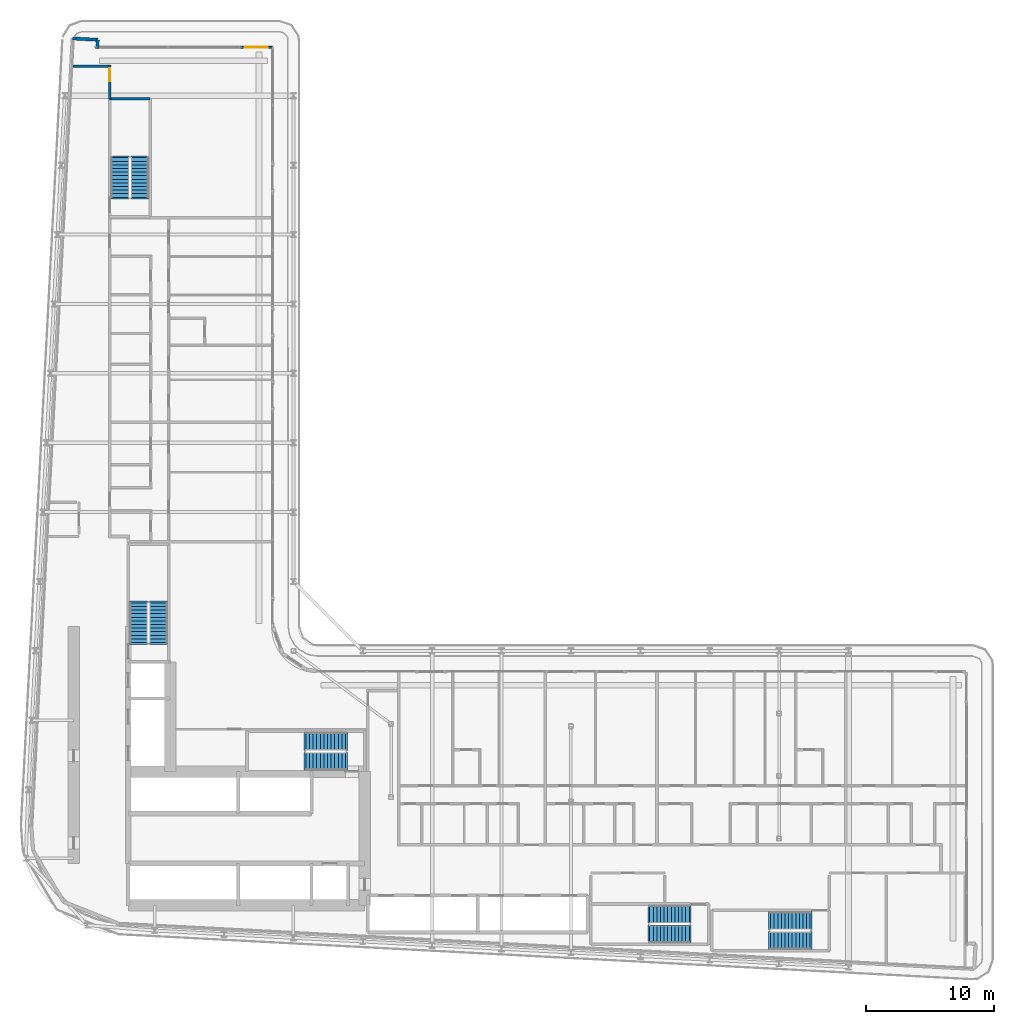
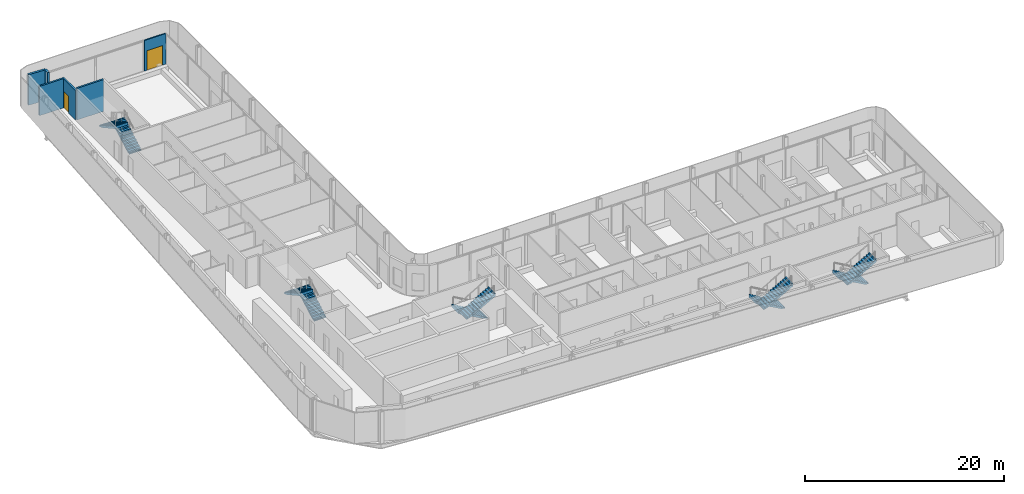
# One storey, part 18 of 25: 10 stair flights, 6 walls, 2 doors, 2 openings, 5 elements without a shape of their own.
"""IFC4 building model written with IfcOpenShell, lengths in metres."""

from ifc_helpers import new_model, si_unit, direction, frame, frame_2d, origin, place, context, subcontext, project, spatial, polyline, rectangle, outline, extrude, source, transform, mapped, material, layer, layer_set, type_object, element, fill, aggregate, save


model = new_model("IFC4")

# Units and contexts
model_context = context("Model", 3, precision=1e-05, world=origin(), true_north=direction((0.0, 1.0)))
body_context = subcontext(model_context, "Body", "Model", "MODEL_VIEW")
ifc_project = project(units=[si_unit("LENGTHUNIT", "METRE"), si_unit("AREAUNIT", "SQUARE_METRE"), si_unit("VOLUMEUNIT", "CUBIC_METRE"), si_unit("PLANEANGLEUNIT", "RADIAN"), si_unit("MASSUNIT", "GRAM", prefix="KILO")], contexts=[model_context])

# Site, building, storey
site_placement = place(None, origin())
site = spatial("IfcSite", under=ifc_project, at=site_placement, CompositionType="ELEMENT")
building_placement = place(site_placement, origin())
building = spatial("IfcBuilding", under=site, at=building_placement, Name="Kheshtan School and Residences Tower", CompositionType="ELEMENT")
storey_placement = place(building_placement, frame((0.0, 0.0, 113.60009765625)))
storey = spatial("IfcBuildingStorey", under=building, at=storey_placement, Name="L26", CompositionType="ELEMENT", Elevation=113.60009765625)

# Wall
ifc_material_1 = material(Name="Gypsum board on steel studs with fire boards", Category="steel")
ifc_layer_1 = layer(ifc_material_1, 0.199951171875)
ifc_layer_set_1 = layer_set([ifc_layer_1], Name="Corridor wall 200")
wall_type_1 = type_object("IfcWallType", Name="Corridor wall 200", PredefinedType="PARTITIONING", material=ifc_layer_set_1)
wall_1_placement = place(storey_placement, frame((30.432373046875, 91.10009765625, 0.0), z_axis=(0.0, 0.0, 1.0), x_axis=(1.0, 0.0, 0.0)))
element("IfcWall", 1, at=wall_1_placement, inside=storey, type_object=wall_type_1, Name="Partition L26-001", PredefinedType="PARTITIONING", context=body_context, shape_type="SweptSolid", body=[
    extrude(rectangle(XDim=2.767578125, YDim=0.199951171875, at=frame_2d((1.3837890625, 0.0))), origin(), (0.0, 0.0, 1.0), 3.599853515625),
])

# Wall, opening, door
wall_2_placement = place(storey_placement, frame((33.300048828125, 88.56005859375, 0.0), z_axis=(0.0, 0.0, 1.0), x_axis=(0.0, 1.0, 0.0)))
wall_2 = element("IfcWall", 2, at=wall_2_placement, inside=storey, type_object=wall_type_1, Name="Partition L26-004", PredefinedType="PARTITIONING", context=body_context, shape_type="SweptSolid", body=[
    extrude(rectangle(XDim=2.639892578125, YDim=0.199951171875, at=frame_2d((1.31982421875, 0.0))), origin(), (0.0, 0.0, 1.0), 3.599853515625),
])
opening_1_placement = place(wall_2_placement, frame((1.389892578125, 0.0, 0.0)))
opening_1 = element("IfcOpeningElement", 3, at=opening_1_placement, cuts=wall_2, Name="Opening D25-052", PredefinedType="OPENING", context=body_context, shape_type="SweptSolid", body=[
    extrude(rectangle(XDim=1.0, YDim=2.10009765625, at=frame_2d((0.5, 1.050048828125))), frame((0.0, 0.10986328125, 0.0), z_axis=(0.0, -1.0, 0.0), x_axis=(1.0, 0.0, 0.0)), (0.0, 0.0, 1.0), 0.219970703125),
])
ifc_material_2 = material(Name="Steel-framed fire-resisting door leaf", Category="steel")
door_type_1 = type_object("IfcDoorType", Name="Fire door FD60 1000 x 2100", OperationType="SINGLE_SWING_LEFT", PredefinedType="DOOR", material=ifc_material_2)
shared_shape_1 = source(origin(), body_context, "Body", "SweptSolid", [
    extrude(rectangle(XDim=1.0, YDim=2.10009765625, at=frame_2d((0.5, 1.050048828125))), frame((0.0, 0.02490234375, 0.0), z_axis=(0.0, -1.0, 0.0), x_axis=(1.0, 0.0, 0.0)), (0.0, 0.0, 1.0), 0.050048828125),
])
door_1_placement = place(opening_1_placement, origin())
door_1 = element("IfcDoor", 4, at=door_1_placement, inside=storey, type_object=door_type_1, Name="Door D25-052", OperationType="SINGLE_SWING_RIGHT", OverallHeight=2.10009765625, OverallWidth=1.0, PredefinedType="DOOR", context=body_context, shape_type="MappedRepresentation", body=[
    mapped(shared_shape_1, transform((0.0, 0.0, 0.0), x_axis=(1.0, 0.0, 0.0), y_axis=(0.0, 1.0, 0.0), z_axis=(0.0, 0.0, 1.0), scale=1.0)),
])
fill(opening_1, door_1)

# Walls
ifc_material_3 = material(Name="Concrete C40/50 with ceramic cladding and mineral wool insulation", Category="concrete")
ifc_layer_2 = layer(ifc_material_3, 0.25)
ifc_layer_set_2 = layer_set([ifc_layer_2], Name="External wall 250 ceramic clad")
wall_type_2 = type_object("IfcWallType", Name="External wall 250 ceramic clad", PredefinedType="SOLIDWALL", material=ifc_layer_set_2)
wall_3_placement = place(storey_placement, frame((30.4208984375, 93.263916015625, 0.0), z_axis=(0.0, 0.0, 1.0), x_axis=(0.998577785791, -0.053314216913, 0.0)))
element("IfcWall", 5, at=wall_3_placement, inside=storey, type_object=wall_type_2, Name="External wall L26 1", PredefinedType="SOLIDWALL", context=body_context, shape_type="SweptSolid", body=[
    extrude(rectangle(XDim=1.95068359375, YDim=0.25, at=frame_2d((0.975341796875, 0.0))), origin(), (0.0, 0.0, 1.0), 3.75),
])
wall_4_placement = place(storey_placement, frame((32.368896484375, 93.159912109375, 0.0), z_axis=(0.0, 0.0, 1.0), x_axis=(-0.053729014033, -0.998555553312, 0.0)))
element("IfcWall", 6, at=wall_4_placement, inside=storey, type_object=wall_type_2, Name="External wall L26 2", PredefinedType="SOLIDWALL", context=body_context, shape_type="SweptSolid", body=[
    extrude(rectangle(XDim=0.66796875, YDim=0.25, at=frame_2d((0.333984375, 0.0))), origin(), (0.0, 0.0, 1.0), 3.75),
])

# Wall, opening, door
ifc_material_4 = material(Name="Aluminium frame wall with insulated infill", Category="aluminium")
ifc_layer_3 = layer(ifc_material_4, 0.14990234375)
ifc_layer_set_3 = layer_set([ifc_layer_3], Name="Glazing frame wall 150")
wall_type_3 = type_object("IfcWallType", Name="Glazing frame wall 150", PredefinedType="SOLIDWALL", material=ifc_layer_set_3)
wall_5_placement = place(storey_placement, frame((43.5, 92.574951171875, 0.0), z_axis=(0.0, 0.0, 1.0), x_axis=(1.0, 0.0, 0.0)))
wall_5 = element("IfcWall", 7, at=wall_5_placement, inside=storey, type_object=wall_type_3, Name="Balcony door wall L26 3.1", PredefinedType="SOLIDWALL", context=body_context, shape_type="SweptSolid", body=[
    extrude(rectangle(XDim=2.470947265625, YDim=0.14990234375, at=frame_2d((1.2353515625, 0.0))), origin(), (0.0, 0.0, 1.0), 3.75),
])
opening_2_placement = place(wall_5_placement, frame((0.300048828125, 0.0, 0.0)))
opening_2 = element("IfcOpeningElement", 8, at=opening_2_placement, cuts=wall_5, Name="Opening BD", PredefinedType="OPENING", context=body_context, shape_type="SweptSolid", body=[
    extrude(rectangle(XDim=1.800048828125, YDim=2.39990234375, at=frame_2d((0.89990234375, 1.199951171875))), frame((0.0, 0.0849609375, 0.0), z_axis=(0.0, -1.0, 0.0), x_axis=(1.0, 0.0, 0.0)), (0.0, 0.0, 1.0), 0.169921875),
])
ifc_material_5 = material(Name="Clear low-e glass in thermally broken aluminium frame", Category="aluminium")
door_type_2 = type_object("IfcDoorType", Name="Balcony sliding door", OperationType="SLIDING_TO_LEFT", PredefinedType="DOOR", material=ifc_material_5)
shared_shape_2 = source(origin(), body_context, "Body", "SweptSolid", [
    extrude(rectangle(XDim=1.800048828125, YDim=2.39990234375, at=frame_2d((0.89990234375, 1.199951171875))), frame((0.0, 0.02490234375, 0.0), z_axis=(0.0, -1.0, 0.0), x_axis=(1.0, 0.0, 0.0)), (0.0, 0.0, 1.0), 0.050048828125),
])
door_2_placement = place(opening_2_placement, origin())
door_2 = element("IfcDoor", 9, at=door_2_placement, inside=storey, type_object=door_type_2, Name="Balcony door L26 3.1", OperationType="SLIDING_TO_LEFT", OverallHeight=2.39990234375, OverallWidth=1.800048828125, PredefinedType="DOOR", context=body_context, shape_type="MappedRepresentation", body=[
    mapped(shared_shape_2, transform((0.0, 0.0, 0.0), x_axis=(1.0, 0.0, 0.0), y_axis=(0.0, 1.0, 0.0), z_axis=(0.0, 0.0, 1.0), scale=1.0)),
])
fill(opening_2, door_2)

# Wall
ifc_material_6 = material(Name="Concrete C40/50", Category="concrete")
ifc_layer_4 = layer(ifc_material_6, 0.199951171875)
ifc_layer_set_4 = layer_set([ifc_layer_4], Name="Stair enclosure wall 200 Concrete C40/50")
wall_type_4 = type_object("IfcWallType", Name="Stair enclosure wall 200 Concrete C40/50", PredefinedType="SHEAR", material=ifc_layer_set_4)
wall_6_placement = place(storey_placement, frame((33.300048828125, 88.56005859375, 0.0), z_axis=(0.0, 0.0, 1.0), x_axis=(1.0, 0.0, 0.0)))
element("IfcWall", 10, at=wall_6_placement, inside=storey, type_object=wall_type_4, Name="Stair enclosure wall ST3", PredefinedType="SHEAR", context=body_context, shape_type="SweptSolid", body=[
    extrude(rectangle(XDim=3.14990234375, YDim=0.199951171875, at=frame_2d((1.574951171875, 0.0))), origin(), (0.0, 0.0, 1.0), 3.89990234375),
])

# Stair, stair flights
stair_type = type_object("IfcStairType", Name="Exit stair, half-turn", PredefinedType="HALF_TURN_STAIR", material=ifc_material_6)
stair_1_placement = place(storey_placement, origin())
stair_1 = element("IfcStair", 11, at=stair_1_placement, inside=storey, type_object=stair_type, Name="L26 Protected Exit Stair ST1", PredefinedType="HALF_TURN_STAIR")
ifc_layer_5 = layer(ifc_material_6, 0.14990234375)
ifc_layer_set_5 = layer_set([ifc_layer_5], Name="Stair flight 1400 Concrete C40/50")
stair_flight_type = type_object("IfcStairFlightType", Name="Stair flight 1400 Concrete C40/50", PredefinedType="STRAIGHT", material=ifc_layer_set_5)
stair_flight_1_placement = place(storey_placement, frame((51.64990234375, 38.550048828125, 0.0), z_axis=(0.0, 0.0, 1.0), x_axis=(-1.0, 0.0, 0.0)))
stair_flight_1 = element("IfcStairFlight", 12, at=stair_flight_1_placement, type_object=stair_flight_type, Name="ST1 flight 1", NumberOfRisers=12, NumberOfTreads=11, PredefinedType="STRAIGHT", RiserHeight=0.1625, TreadLength=0.28, context=body_context, shape_type="SweptSolid", body=[
    extrude(outline(polyline([(-0.14990234375, -0.10009765625), (-0.14990234375, 0.0), (0.0, 0.0), (0.0, 0.16259765625), (0.280029296875, 0.16259765625), (0.280029296875, 0.324951171875), (0.56005859375, 0.324951171875), (0.56005859375, 0.487548828125), (0.840087890625, 0.487548828125), (0.840087890625, 0.64990234375), (1.1201171875, 0.64990234375), (1.1201171875, 0.8125), (1.39990234375, 0.8125), (1.39990234375, 0.97509765625), (1.679931640625, 0.97509765625), (1.679931640625, 1.137451171875), (1.9599609375, 1.137451171875), (1.9599609375, 1.300048828125), (2.239990234375, 1.300048828125), (2.239990234375, 1.46240234375), (2.52001953125, 1.46240234375), (2.52001953125, 1.625), (2.800048828125, 1.625), (2.800048828125, 1.78759765625), (3.080078125, 1.78759765625), (3.080078125, 1.949951171875), (3.080078125, 1.969970703125), (3.22998046875, 1.969970703125), (3.22998046875, 1.6142578125), (0.298583984375, 0.0), (-0.14990234375, -0.10009765625)])), frame((0.0, 0.699951171875, 0.0), z_axis=(0.0, -1.0, 0.0), x_axis=(1.0, 0.0, 0.0)), (0.0, 0.0, 1.0), 1.39990234375),
])
stair_flight_2_placement = place(storey_placement, frame((48.570068359375, 37.0, 1.949951171875), z_axis=(0.0, 0.0, 1.0), x_axis=(1.0, 0.0, 0.0)))
stair_flight_2 = element("IfcStairFlight", 13, at=stair_flight_2_placement, type_object=stair_flight_type, Name="ST1 flight 2", NumberOfRisers=12, NumberOfTreads=11, PredefinedType="STRAIGHT", RiserHeight=0.1625, TreadLength=0.28, context=body_context, shape_type="SweptSolid", body=[
    extrude(outline(polyline([(-0.14990234375, -0.10009765625), (-0.14990234375, 0.0), (0.0, 0.0), (0.0, 0.16259765625), (0.280029296875, 0.16259765625), (0.280029296875, 0.324951171875), (0.56005859375, 0.324951171875), (0.56005859375, 0.487548828125), (0.840087890625, 0.487548828125), (0.840087890625, 0.64990234375), (1.1201171875, 0.64990234375), (1.1201171875, 0.8125), (1.39990234375, 0.8125), (1.39990234375, 0.97509765625), (1.679931640625, 0.97509765625), (1.679931640625, 1.137451171875), (1.9599609375, 1.137451171875), (1.9599609375, 1.300048828125), (2.239990234375, 1.300048828125), (2.239990234375, 1.46240234375), (2.52001953125, 1.46240234375), (2.52001953125, 1.625), (2.800048828125, 1.625), (2.800048828125, 1.78759765625), (3.080078125, 1.78759765625), (3.080078125, 1.949951171875), (3.080078125, 1.969970703125), (3.22998046875, 1.969970703125), (3.22998046875, 1.6142578125), (0.298583984375, 0.0), (-0.14990234375, -0.10009765625)])), frame((0.0, 0.699951171875, 0.0), z_axis=(0.0, -1.0, 0.0), x_axis=(1.0, 0.0, 0.0)), (0.0, 0.0, 1.0), 1.39990234375),
])
aggregate(stair_1, [stair_flight_1, stair_flight_2])

stair_2_placement = place(storey_placement, origin())
stair_2 = element("IfcStair", 14, at=stair_2_placement, inside=storey, type_object=stair_type, Name="L26 Protected Exit Stair ST2", PredefinedType="HALF_TURN_STAIR")
stair_flight_3_placement = place(storey_placement, frame((37.10009765625, 46.25, 0.0), z_axis=(0.0, 0.0, 1.0), x_axis=(0.0, 1.0, 0.0)))
stair_flight_3 = element("IfcStairFlight", 15, at=stair_flight_3_placement, type_object=stair_flight_type, Name="ST2 flight 1", NumberOfRisers=12, NumberOfTreads=11, PredefinedType="STRAIGHT", RiserHeight=0.1625, TreadLength=0.28, context=body_context, shape_type="SweptSolid", body=[
    extrude(outline(polyline([(-0.14990234375, -0.10009765625), (-0.14990234375, 0.0), (0.0, 0.0), (0.0, 0.16259765625), (0.280029296875, 0.16259765625), (0.280029296875, 0.324951171875), (0.56005859375, 0.324951171875), (0.56005859375, 0.487548828125), (0.840087890625, 0.487548828125), (0.840087890625, 0.64990234375), (1.1201171875, 0.64990234375), (1.1201171875, 0.8125), (1.39990234375, 0.8125), (1.39990234375, 0.97509765625), (1.679931640625, 0.97509765625), (1.679931640625, 1.137451171875), (1.9599609375, 1.137451171875), (1.9599609375, 1.300048828125), (2.239990234375, 1.300048828125), (2.239990234375, 1.46240234375), (2.52001953125, 1.46240234375), (2.52001953125, 1.625), (2.800048828125, 1.625), (2.800048828125, 1.78759765625), (3.080078125, 1.78759765625), (3.080078125, 1.949951171875), (3.080078125, 1.969970703125), (3.22998046875, 1.969970703125), (3.22998046875, 1.6142578125), (0.298583984375, 0.0), (-0.14990234375, -0.10009765625)])), frame((0.0, 0.699951171875, 0.0), z_axis=(0.0, -1.0, 0.0), x_axis=(1.0, 0.0, 0.0)), (0.0, 0.0, 1.0), 1.39990234375),
])
stair_flight_4_placement = place(storey_placement, frame((35.550048828125, 49.330078125, 1.949951171875), z_axis=(0.0, 0.0, 1.0), x_axis=(0.0, -1.0, 0.0)))
stair_flight_4 = element("IfcStairFlight", 16, at=stair_flight_4_placement, type_object=stair_flight_type, Name="ST2 flight 2", NumberOfRisers=12, NumberOfTreads=11, PredefinedType="STRAIGHT", RiserHeight=0.1625, TreadLength=0.28, context=body_context, shape_type="SweptSolid", body=[
    extrude(outline(polyline([(-0.14990234375, -0.10009765625), (-0.14990234375, 0.0), (0.0, 0.0), (0.0, 0.16259765625), (0.280029296875, 0.16259765625), (0.280029296875, 0.324951171875), (0.56005859375, 0.324951171875), (0.56005859375, 0.487548828125), (0.840087890625, 0.487548828125), (0.840087890625, 0.64990234375), (1.1201171875, 0.64990234375), (1.1201171875, 0.8125), (1.39990234375, 0.8125), (1.39990234375, 0.97509765625), (1.679931640625, 0.97509765625), (1.679931640625, 1.137451171875), (1.9599609375, 1.137451171875), (1.9599609375, 1.300048828125), (2.239990234375, 1.300048828125), (2.239990234375, 1.46240234375), (2.52001953125, 1.46240234375), (2.52001953125, 1.625), (2.800048828125, 1.625), (2.800048828125, 1.78759765625), (3.080078125, 1.78759765625), (3.080078125, 1.949951171875), (3.080078125, 1.969970703125), (3.22998046875, 1.969970703125), (3.22998046875, 1.6142578125), (0.298583984375, 0.0), (-0.14990234375, -0.10009765625)])), frame((0.0, 0.699951171875, 0.0), z_axis=(0.0, -1.0, 0.0), x_axis=(1.0, 0.0, 0.0)), (0.0, 0.0, 1.0), 1.39990234375),
])
aggregate(stair_2, [stair_flight_3, stair_flight_4])

stair_3_placement = place(storey_placement, origin())
stair_3 = element("IfcStair", 17, at=stair_3_placement, inside=storey, type_object=stair_type, Name="L26 Protected Exit Stair ST3", PredefinedType="HALF_TURN_STAIR")
stair_flight_5_placement = place(storey_placement, frame((35.64990234375, 80.89990234375, 0.0), z_axis=(0.0, 0.0, 1.0), x_axis=(0.0, 1.0, 0.0)))
stair_flight_5 = element("IfcStairFlight", 18, at=stair_flight_5_placement, type_object=stair_flight_type, Name="ST3 flight 1", NumberOfRisers=12, NumberOfTreads=11, PredefinedType="STRAIGHT", RiserHeight=0.1625, TreadLength=0.28, context=body_context, shape_type="SweptSolid", body=[
    extrude(outline(polyline([(-0.14990234375, -0.10009765625), (-0.14990234375, 0.0), (0.0, 0.0), (0.0, 0.16259765625), (0.280029296875, 0.16259765625), (0.280029296875, 0.324951171875), (0.56005859375, 0.324951171875), (0.56005859375, 0.487548828125), (0.840087890625, 0.487548828125), (0.840087890625, 0.64990234375), (1.1201171875, 0.64990234375), (1.1201171875, 0.8125), (1.39990234375, 0.8125), (1.39990234375, 0.97509765625), (1.679931640625, 0.97509765625), (1.679931640625, 1.137451171875), (1.9599609375, 1.137451171875), (1.9599609375, 1.300048828125), (2.239990234375, 1.300048828125), (2.239990234375, 1.46240234375), (2.52001953125, 1.46240234375), (2.52001953125, 1.625), (2.800048828125, 1.625), (2.800048828125, 1.78759765625), (3.080078125, 1.78759765625), (3.080078125, 1.949951171875), (3.080078125, 1.969970703125), (3.22998046875, 1.969970703125), (3.22998046875, 1.6142578125), (0.298583984375, 0.0), (-0.14990234375, -0.10009765625)])), frame((0.0, 0.699951171875, 0.0), z_axis=(0.0, -1.0, 0.0), x_axis=(1.0, 0.0, 0.0)), (0.0, 0.0, 1.0), 1.39990234375),
])
stair_flight_6_placement = place(storey_placement, frame((34.10009765625, 83.97998046875, 1.949951171875), z_axis=(0.0, 0.0, 1.0), x_axis=(0.0, -1.0, 0.0)))
stair_flight_6 = element("IfcStairFlight", 19, at=stair_flight_6_placement, type_object=stair_flight_type, Name="ST3 flight 2", NumberOfRisers=12, NumberOfTreads=11, PredefinedType="STRAIGHT", RiserHeight=0.1625, TreadLength=0.28, context=body_context, shape_type="SweptSolid", body=[
    extrude(outline(polyline([(-0.14990234375, -0.10009765625), (-0.14990234375, 0.0), (0.0, 0.0), (0.0, 0.16259765625), (0.280029296875, 0.16259765625), (0.280029296875, 0.324951171875), (0.56005859375, 0.324951171875), (0.56005859375, 0.487548828125), (0.840087890625, 0.487548828125), (0.840087890625, 0.64990234375), (1.1201171875, 0.64990234375), (1.1201171875, 0.8125), (1.39990234375, 0.8125), (1.39990234375, 0.97509765625), (1.679931640625, 0.97509765625), (1.679931640625, 1.137451171875), (1.9599609375, 1.137451171875), (1.9599609375, 1.300048828125), (2.239990234375, 1.300048828125), (2.239990234375, 1.46240234375), (2.52001953125, 1.46240234375), (2.52001953125, 1.625), (2.800048828125, 1.625), (2.800048828125, 1.78759765625), (3.080078125, 1.78759765625), (3.080078125, 1.949951171875), (3.080078125, 1.969970703125), (3.22998046875, 1.969970703125), (3.22998046875, 1.6142578125), (0.298583984375, 0.0), (-0.14990234375, -0.10009765625)])), frame((0.0, 0.699951171875, 0.0), z_axis=(0.0, -1.0, 0.0), x_axis=(1.0, 0.0, 0.0)), (0.0, 0.0, 1.0), 1.39990234375),
])
aggregate(stair_3, [stair_flight_5, stair_flight_6])

stair_4_placement = place(storey_placement, origin())
stair_4 = element("IfcStair", 20, at=stair_4_placement, inside=storey, type_object=stair_type, Name="L26 Protected Exit Stair ST4", PredefinedType="HALF_TURN_STAIR")
stair_flight_7_placement = place(storey_placement, frame((87.820068359375, 24.60009765625, 0.0), z_axis=(0.0, 0.0, 1.0), x_axis=(-1.0, 0.0, 0.0)))
stair_flight_7 = element("IfcStairFlight", 21, at=stair_flight_7_placement, type_object=stair_flight_type, Name="ST4 flight 1", NumberOfRisers=12, NumberOfTreads=11, PredefinedType="STRAIGHT", RiserHeight=0.1625, TreadLength=0.28, context=body_context, shape_type="SweptSolid", body=[
    extrude(outline(polyline([(-0.14990234375, -0.10009765625), (-0.14990234375, 0.0), (0.0, 0.0), (0.0, 0.16259765625), (0.280029296875, 0.16259765625), (0.280029296875, 0.324951171875), (0.56005859375, 0.324951171875), (0.56005859375, 0.487548828125), (0.840087890625, 0.487548828125), (0.840087890625, 0.64990234375), (1.1201171875, 0.64990234375), (1.1201171875, 0.8125), (1.39990234375, 0.8125), (1.39990234375, 0.97509765625), (1.679931640625, 0.97509765625), (1.679931640625, 1.137451171875), (1.9599609375, 1.137451171875), (1.9599609375, 1.300048828125), (2.239990234375, 1.300048828125), (2.239990234375, 1.46240234375), (2.52001953125, 1.46240234375), (2.52001953125, 1.625), (2.800048828125, 1.625), (2.800048828125, 1.78759765625), (3.080078125, 1.78759765625), (3.080078125, 1.949951171875), (3.080078125, 1.969970703125), (3.22998046875, 1.969970703125), (3.22998046875, 1.6142578125), (0.298583984375, 0.0), (-0.14990234375, -0.10009765625)])), frame((0.0, 0.699951171875, 0.0), z_axis=(0.0, -1.0, 0.0), x_axis=(1.0, 0.0, 0.0)), (0.0, 0.0, 1.0), 1.39990234375),
])
stair_flight_8_placement = place(storey_placement, frame((84.739990234375, 23.050048828125, 1.949951171875), z_axis=(0.0, 0.0, 1.0), x_axis=(1.0, 0.0, 0.0)))
stair_flight_8 = element("IfcStairFlight", 22, at=stair_flight_8_placement, type_object=stair_flight_type, Name="ST4 flight 2", NumberOfRisers=12, NumberOfTreads=11, PredefinedType="STRAIGHT", RiserHeight=0.1625, TreadLength=0.28, context=body_context, shape_type="SweptSolid", body=[
    extrude(outline(polyline([(-0.14990234375, -0.10009765625), (-0.14990234375, 0.0), (0.0, 0.0), (0.0, 0.16259765625), (0.280029296875, 0.16259765625), (0.280029296875, 0.324951171875), (0.56005859375, 0.324951171875), (0.56005859375, 0.487548828125), (0.840087890625, 0.487548828125), (0.840087890625, 0.64990234375), (1.1201171875, 0.64990234375), (1.1201171875, 0.8125), (1.39990234375, 0.8125), (1.39990234375, 0.97509765625), (1.679931640625, 0.97509765625), (1.679931640625, 1.137451171875), (1.9599609375, 1.137451171875), (1.9599609375, 1.300048828125), (2.239990234375, 1.300048828125), (2.239990234375, 1.46240234375), (2.52001953125, 1.46240234375), (2.52001953125, 1.625), (2.800048828125, 1.625), (2.800048828125, 1.78759765625), (3.080078125, 1.78759765625), (3.080078125, 1.949951171875), (3.080078125, 1.969970703125), (3.22998046875, 1.969970703125), (3.22998046875, 1.6142578125), (0.298583984375, 0.0), (-0.14990234375, -0.10009765625)])), frame((0.0, 0.699951171875, 0.0), z_axis=(0.0, -1.0, 0.0), x_axis=(1.0, 0.0, 0.0)), (0.0, 0.0, 1.0), 1.39990234375),
])
aggregate(stair_4, [stair_flight_7, stair_flight_8])

stair_5_placement = place(storey_placement, origin())
stair_5 = element("IfcStair", 23, at=stair_5_placement, inside=storey, type_object=stair_type, Name="L26 Protected Exit Stair ST5", PredefinedType="HALF_TURN_STAIR")
stair_flight_9_placement = place(storey_placement, frame((78.409912109375, 25.10009765625, 0.0), z_axis=(0.0, 0.0, 1.0), x_axis=(-1.0, 0.0, 0.0)))
stair_flight_9 = element("IfcStairFlight", 24, at=stair_flight_9_placement, type_object=stair_flight_type, Name="ST5 flight 1", NumberOfRisers=12, NumberOfTreads=11, PredefinedType="STRAIGHT", RiserHeight=0.1625, TreadLength=0.28, context=body_context, shape_type="SweptSolid", body=[
    extrude(outline(polyline([(-0.14990234375, -0.10009765625), (-0.14990234375, 0.0), (0.0, 0.0), (0.0, 0.16259765625), (0.280029296875, 0.16259765625), (0.280029296875, 0.324951171875), (0.56005859375, 0.324951171875), (0.56005859375, 0.487548828125), (0.840087890625, 0.487548828125), (0.840087890625, 0.64990234375), (1.1201171875, 0.64990234375), (1.1201171875, 0.8125), (1.39990234375, 0.8125), (1.39990234375, 0.97509765625), (1.679931640625, 0.97509765625), (1.679931640625, 1.137451171875), (1.9599609375, 1.137451171875), (1.9599609375, 1.300048828125), (2.239990234375, 1.300048828125), (2.239990234375, 1.46240234375), (2.52001953125, 1.46240234375), (2.52001953125, 1.625), (2.800048828125, 1.625), (2.800048828125, 1.78759765625), (3.080078125, 1.78759765625), (3.080078125, 1.949951171875), (3.080078125, 1.969970703125), (3.22998046875, 1.969970703125), (3.22998046875, 1.6142578125), (0.298583984375, 0.0), (-0.14990234375, -0.10009765625)])), frame((0.0, 0.699951171875, 0.0), z_axis=(0.0, -1.0, 0.0), x_axis=(1.0, 0.0, 0.0)), (0.0, 0.0, 1.0), 1.39990234375),
])
stair_flight_10_placement = place(storey_placement, frame((75.330078125, 23.550048828125, 1.949951171875), z_axis=(0.0, 0.0, 1.0), x_axis=(1.0, 0.0, 0.0)))
stair_flight_10 = element("IfcStairFlight", 25, at=stair_flight_10_placement, type_object=stair_flight_type, Name="ST5 flight 2", NumberOfRisers=12, NumberOfTreads=11, PredefinedType="STRAIGHT", RiserHeight=0.1625, TreadLength=0.28, context=body_context, shape_type="SweptSolid", body=[
    extrude(outline(polyline([(-0.14990234375, -0.10009765625), (-0.14990234375, 0.0), (0.0, 0.0), (0.0, 0.16259765625), (0.280029296875, 0.16259765625), (0.280029296875, 0.324951171875), (0.56005859375, 0.324951171875), (0.56005859375, 0.487548828125), (0.840087890625, 0.487548828125), (0.840087890625, 0.64990234375), (1.1201171875, 0.64990234375), (1.1201171875, 0.8125), (1.39990234375, 0.8125), (1.39990234375, 0.97509765625), (1.679931640625, 0.97509765625), (1.679931640625, 1.137451171875), (1.9599609375, 1.137451171875), (1.9599609375, 1.300048828125), (2.239990234375, 1.300048828125), (2.239990234375, 1.46240234375), (2.52001953125, 1.46240234375), (2.52001953125, 1.625), (2.800048828125, 1.625), (2.800048828125, 1.78759765625), (3.080078125, 1.78759765625), (3.080078125, 1.949951171875), (3.080078125, 1.969970703125), (3.22998046875, 1.969970703125), (3.22998046875, 1.6142578125), (0.298583984375, 0.0), (-0.14990234375, -0.10009765625)])), frame((0.0, 0.699951171875, 0.0), z_axis=(0.0, -1.0, 0.0), x_axis=(1.0, 0.0, 0.0)), (0.0, 0.0, 1.0), 1.39990234375),
])
aggregate(stair_5, [stair_flight_9, stair_flight_10])

save(model, "model.ifc")
